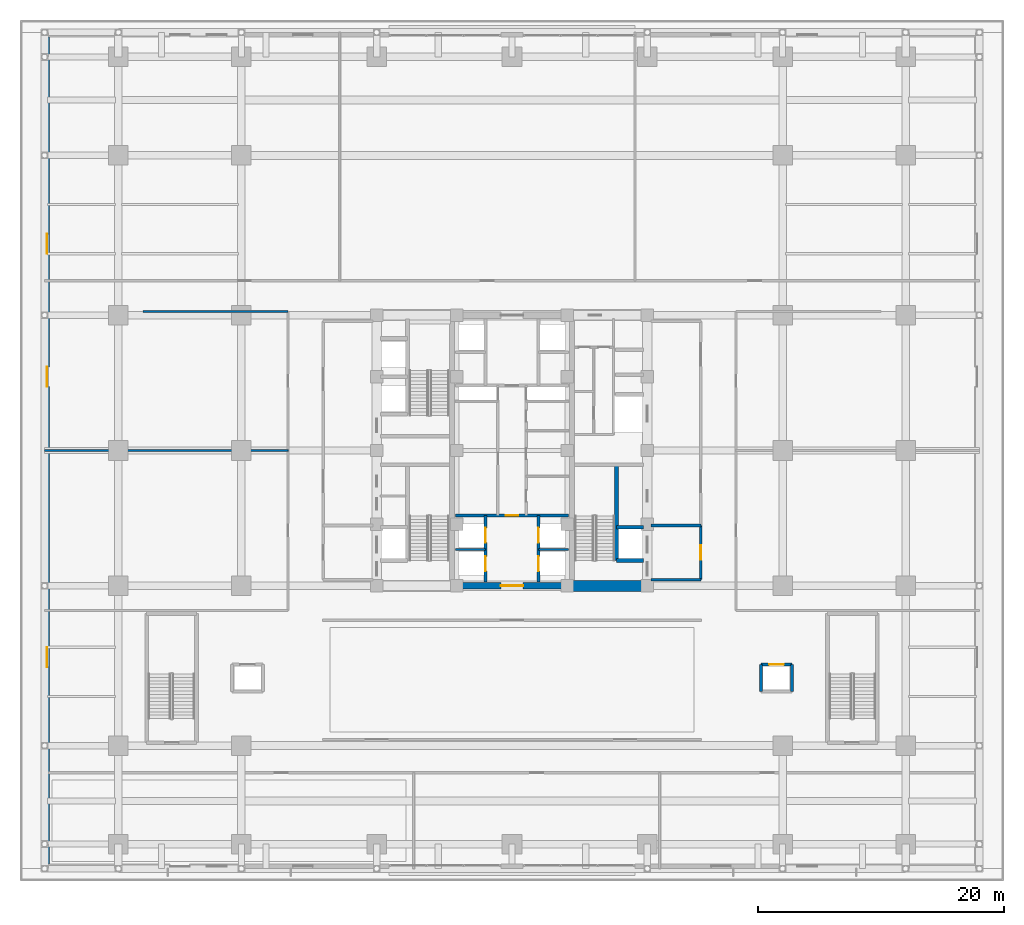
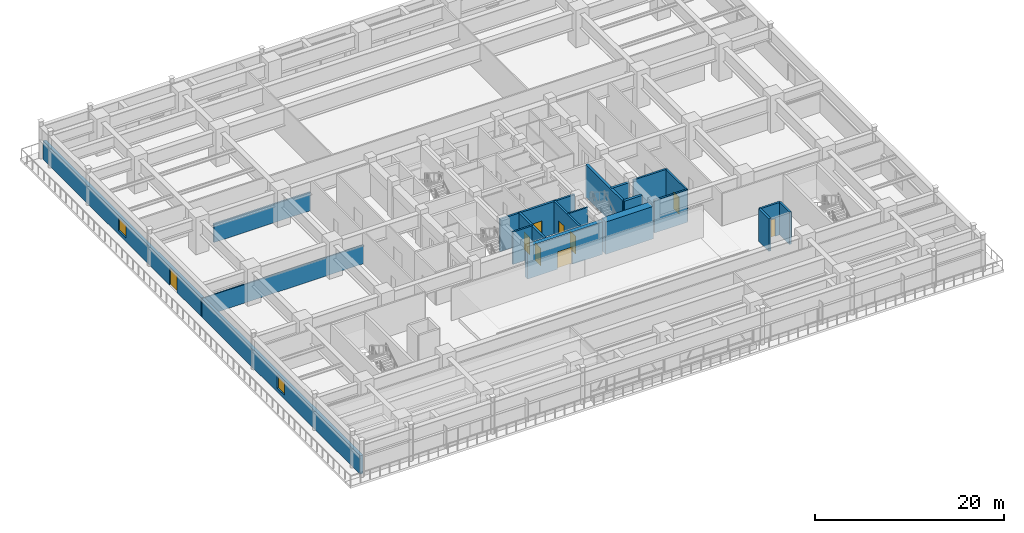
# One storey, part 23 of 35: 19 walls, 9 doors, 2 windows, 11 openings.
"""IFC4 building model written with IfcOpenShell, lengths in metres."""

from ifc_helpers import new_model, si_unit, direction, frame, frame_2d, origin, place, context, subcontext, project, spatial, rectangle, extrude, source, transform, mapped, material, layer, layer_set, type_object, element, fill, save


model = new_model("IFC4")

# Units and contexts
model_context = context("Model", 3, precision=1e-05, world=origin(), true_north=direction((0.0, 1.0)))
body_context = subcontext(model_context, "Body", "Model", "MODEL_VIEW")
ifc_project = project(units=[si_unit("LENGTHUNIT", "METRE"), si_unit("AREAUNIT", "SQUARE_METRE"), si_unit("VOLUMEUNIT", "CUBIC_METRE"), si_unit("PLANEANGLEUNIT", "RADIAN"), si_unit("MASSUNIT", "GRAM", prefix="KILO")], contexts=[model_context])

# Site, building, storey
site_placement = place(None, origin())
site = spatial("IfcSite", under=ifc_project, at=site_placement, CompositionType="ELEMENT")
building_placement = place(site_placement, origin())
building = spatial("IfcBuilding", under=site, at=building_placement, Name="Khorayat Bourse Tower", CompositionType="ELEMENT")
storey_placement = place(building_placement, frame((0.0, 0.0, 22.199951171875)))
storey = spatial("IfcBuildingStorey", under=building, at=storey_placement, Name="L04", CompositionType="ELEMENT", Elevation=22.199951171875)

# Wall
ifc_material_1 = material(Name="Concrete C72/90", Category="concrete")
ifc_layer_1 = layer(ifc_material_1, 0.89990234375)
ifc_layer_set_1 = layer_set([ifc_layer_1], Name="Concrete C72/90")
wall_type_1 = type_object("IfcWallType", Name="WAL-CORE-900", PredefinedType="SHEAR", material=ifc_layer_set_1)
shared_shape_1 = source(origin(), body_context, "Body", "SweptSolid", [
    extrude(rectangle(XDim=5.849853515625, YDim=0.89990234375, at=frame_2d((2.9248046875, 0.0))), origin(), (0.0, 0.0, 1.0), 4.199951171875),
])
wall_1_placement = place(storey_placement, frame((4.85009765625, -11.0, 0.0), z_axis=(0.0, 0.0, 1.0), x_axis=(1.0, 0.0, 0.0)))
element("IfcWall", 1, at=wall_1_placement, inside=storey, type_object=wall_type_1, Name="L04 Core Shear Wall PIER-ES", PredefinedType="SHEAR", context=body_context, shape_type="MappedRepresentation", body=[
    mapped(shared_shape_1, transform((0.0, 0.0, 0.0), scale=1.0)),
])

# Wall, opening, door
ifc_material_2 = material(Name="Concrete C52/65", Category="concrete")
ifc_layer_2 = layer(ifc_material_2, 0.5)
ifc_layer_set_2 = layer_set([ifc_layer_2], Name="Concrete C52/65")
wall_type_2 = type_object("IfcWallType", Name="WAL-CORE-500", PredefinedType="SHEAR", material=ifc_layer_set_2)
shared_shape_2 = source(origin(), body_context, "Body", "SweptSolid", [
    extrude(rectangle(XDim=9.2001953125, YDim=0.5, at=frame_2d((4.60009765625, 0.0))), origin(), (0.0, 0.0, 1.0), 4.199951171875),
])
wall_2_placement = place(storey_placement, frame((-4.60009765625, -11.0, 0.0), z_axis=(0.0, 0.0, 1.0), x_axis=(1.0, 0.0, 0.0)))
wall_2 = element("IfcWall", 2, at=wall_2_placement, inside=storey, type_object=wall_type_2, Name="L04 Core Shear Wall CORE-S", PredefinedType="SHEAR", context=body_context, shape_type="MappedRepresentation", body=[
    mapped(shared_shape_2, transform((0.0, 0.0, 0.0), scale=1.0)),
])
shared_shape_3 = source(origin(), body_context, "Body", "SweptSolid", [
    extrude(rectangle(XDim=1.800048828125, YDim=2.25, at=frame_2d((0.89990234375, 1.125))), frame((0.0, 0.260009765625, 0.0), z_axis=(0.0, -1.0, 0.0), x_axis=(1.0, 0.0, 0.0)), (0.0, 0.0, 1.0), 0.52001953125),
])
opening_1_placement = place(wall_2_placement, frame((3.699951171875, 0.0, 0.0)))
opening_1 = element("IfcOpeningElement", 3, at=opening_1_placement, cuts=wall_2, Name="Opening DI-03", PredefinedType="OPENING", context=body_context, shape_type="MappedRepresentation", body=[
    mapped(shared_shape_3, transform((0.0, 0.0, 0.0), scale=1.0)),
])
ifc_material_3 = material(Name="Fire-rated hardwood vision-panel double leaf", Category="wood")
door_type_1 = type_object("IfcDoorType", Name="DR-INT-CORR-1800", OperationType="NOTDEFINED", PredefinedType="DOOR", material=ifc_material_3)
shared_shape_4 = source(origin(), body_context, "Body", "SweptSolid", [
    extrude(rectangle(XDim=1.800048828125, YDim=2.25, at=frame_2d((0.89990234375, 1.125))), frame((0.0, 0.02490234375, 0.0), z_axis=(0.0, -1.0, 0.0), x_axis=(1.0, 0.0, 0.0)), (0.0, 0.0, 1.0), 0.050048828125),
])
door_1_placement = place(opening_1_placement, origin())
door_1 = element("IfcDoor", 4, at=door_1_placement, inside=storey, type_object=door_type_1, Name="L04 Low-Rise Lift Lobby Door", OperationType="SINGLE_SWING_LEFT", OverallHeight=2.25, OverallWidth=1.800048828125, PredefinedType="DOOR", context=body_context, shape_type="MappedRepresentation", body=[
    mapped(shared_shape_4, transform((0.0, 0.0, 0.0), scale=1.0)),
])
fill(opening_1, door_1)

# Wall, openings, door, windows
ifc_material_4 = material(Name="Precast concrete C45/55", Category="concrete")
ifc_layer_3 = layer(ifc_material_4, 0.3798828125)
ifc_layer_set_3 = layer_set([ifc_layer_3], Name="Precast concrete C45/55")
wall_type_3 = type_object("IfcWallType", Name="WAL-EXT-STONE-380", PredefinedType="STANDARD", material=ifc_layer_set_3)
shared_shape_5 = source(origin(), body_context, "Body", "SweptSolid", [
    extrude(rectangle(XDim=67.240234375, YDim=0.3798828125, at=frame_2d((33.6201171875, 0.0))), origin(), (0.0, 0.0, 1.0), 2.400146484375),
])
wall_3_placement = place(storey_placement, frame((-37.81005859375, -33.6201171875, 0.0), z_axis=(0.0, 0.0, 1.0), x_axis=(0.0, 1.0, 0.0)))
wall_3 = element("IfcWall", 5, at=wall_3_placement, inside=storey, type_object=wall_type_3, Name="L04 Exterior Limestone Wall WAL-L04-EXT-WF", PredefinedType="STANDARD", context=body_context, shape_type="MappedRepresentation", body=[
    mapped(shared_shape_5, transform((0.0, 0.0, 0.0), scale=1.0)),
])
shared_shape_6 = source(origin(), body_context, "Body", "SweptSolid", [
    extrude(rectangle(XDim=1.60009765625, YDim=2.25, at=frame_2d((0.800048828125, 1.125))), frame((0.0, 0.199951171875, 0.0), z_axis=(0.0, -1.0, 0.0), x_axis=(1.0, 0.0, 0.0)), (0.0, 0.0, 1.0), 0.39990234375),
])
opening_2_placement = place(wall_3_placement, frame((38.820068359375, 0.0, 0.0)))
opening_2 = element("IfcOpeningElement", 6, at=opening_2_placement, cuts=wall_3, Name="Opening DE-04", PredefinedType="OPENING", context=body_context, shape_type="MappedRepresentation", body=[
    mapped(shared_shape_6, transform((0.0, 0.0, 0.0), scale=1.0)),
])
shared_shape_7 = source(origin(), body_context, "Body", "SweptSolid", [
    extrude(rectangle(XDim=1.60009765625, YDim=1.679931640625, at=frame_2d((0.800048828125, 0.83984375))), frame((0.0, 0.199951171875, 0.0), z_axis=(0.0, -1.0, 0.0), x_axis=(1.0, 0.0, 0.0)), (0.0, 0.0, 1.0), 0.39990234375),
])
opening_3_placement = place(wall_3_placement, frame((16.010009765625, 0.0, 0.5)))
opening_3 = element("IfcOpeningElement", 7, at=opening_3_placement, cuts=wall_3, Name="Opening WN-02", PredefinedType="OPENING", context=body_context, shape_type="MappedRepresentation", body=[
    mapped(shared_shape_7, transform((0.0, 0.0, 0.0), scale=1.0)),
])
opening_4_placement = place(wall_3_placement, frame((49.6298828125, 0.0, 0.5)))
opening_4 = element("IfcOpeningElement", 8, at=opening_4_placement, cuts=wall_3, Name="Opening WN-02", PredefinedType="OPENING", context=body_context, shape_type="MappedRepresentation", body=[
    mapped(shared_shape_7, transform((0.0, 0.0, 0.0), scale=1.0)),
])
ifc_material_5 = material(Name="Thermally broken aluminium terrace double door", Category="aluminium")
door_type_2 = type_object("IfcDoorType", Name="DR-EXT-TERR-1600", OperationType="NOTDEFINED", PredefinedType="DOOR", material=ifc_material_5)
shared_shape_8 = source(origin(), body_context, "Body", "SweptSolid", [
    extrude(rectangle(XDim=1.60009765625, YDim=2.25, at=frame_2d((0.800048828125, 1.125))), frame((0.0, 0.02490234375, 0.0), z_axis=(0.0, -1.0, 0.0), x_axis=(1.0, 0.0, 0.0)), (0.0, 0.0, 1.0), 0.050048828125),
])
door_2_placement = place(opening_2_placement, origin())
door_2 = element("IfcDoor", 9, at=door_2_placement, inside=storey, type_object=door_type_2, Name="L04 West Garden Terrace Door", OperationType="DOUBLE_DOOR_SINGLE_SWING", OverallHeight=2.25, OverallWidth=1.60009765625, PredefinedType="DOOR", context=body_context, shape_type="MappedRepresentation", body=[
    mapped(shared_shape_8, transform((0.0, 0.0, 0.0), scale=1.0)),
])
fill(opening_2, door_2)
ifc_material_6 = material(Name="Low-E solar-control laminated double glazing", Category="glass")
window_type = type_object("IfcWindowType", Name="WIN-POD-1600x2200", PartitioningType="SINGLE_PANEL", PredefinedType="WINDOW", material=ifc_material_6)
shared_shape_9 = source(origin(), body_context, "Body", "SweptSolid", [
    extrude(rectangle(XDim=1.60009765625, YDim=1.679931640625, at=frame_2d((0.800048828125, 0.83984375))), frame((0.0, 0.030029296875, 0.0), z_axis=(0.0, -1.0, 0.0), x_axis=(1.0, 0.0, 0.0)), (0.0, 0.0, 1.0), 0.06005859375),
])
window_1_placement = place(opening_3_placement, origin())
window_1 = element("IfcWindow", 10, at=window_1_placement, inside=storey, type_object=window_type, Name="L04 Facade Window 1", OverallHeight=1.679931640625, OverallWidth=1.60009765625, PartitioningType="SINGLE_PANEL", PredefinedType="WINDOW", context=body_context, shape_type="MappedRepresentation", body=[
    mapped(shared_shape_9, transform((0.0, 0.0, 0.0), scale=1.0)),
])
fill(opening_3, window_1)
window_2_placement = place(opening_4_placement, origin())
window_2 = element("IfcWindow", 11, at=window_2_placement, inside=storey, type_object=window_type, Name="L04 Facade Window 3", OverallHeight=1.679931640625, OverallWidth=1.60009765625, PartitioningType="SINGLE_PANEL", PredefinedType="WINDOW", context=body_context, shape_type="MappedRepresentation", body=[
    mapped(shared_shape_9, transform((0.0, 0.0, 0.0), scale=1.0)),
])
fill(opening_4, window_2)

# Walls
ifc_material_7 = material(Name="Concrete C50/60", Category="concrete")
ifc_layer_4 = layer(ifc_material_7, 0.300048828125)
ifc_layer_set_4 = layer_set([ifc_layer_4], Name="Concrete C50/60")
wall_type_4 = type_object("IfcWallType", Name="WAL-SHAFT-300", PredefinedType="SHEAR", material=ifc_layer_set_4)
shared_shape_10 = source(origin(), body_context, "Body", "SweptSolid", [
    extrude(rectangle(XDim=7.800048828125, YDim=0.300048828125, at=frame_2d((3.89990234375, 0.0))), origin(), (0.0, 0.0, 1.0), 4.199951171875),
])
wall_4_placement = place(storey_placement, frame((8.5, -8.949951171875, 0.0), z_axis=(0.0, 0.0, 1.0), x_axis=(0.0, 1.0, 0.0)))
element("IfcWall", 12, at=wall_4_placement, inside=storey, type_object=wall_type_4, Name="L04 Partition WAL-L04-EPIER-SP", PredefinedType="SHEAR", context=body_context, shape_type="MappedRepresentation", body=[
    mapped(shared_shape_10, transform((0.0, 0.0, 0.0), scale=1.0)),
])
shared_shape_11 = source(origin(), body_context, "Body", "SweptSolid", [
    extrude(rectangle(XDim=2.199951171875, YDim=0.300048828125, at=frame_2d((1.10009765625, 0.0))), origin(), (0.0, 0.0, 1.0), 4.199951171875),
])
for number, where, z_axis, x_axis, name in (
    (13, (8.5, -8.949951171875, 0.0), (0.0, 0.0, 1.0), (1.0, 0.0, 0.0), "L04 Partition WAL-L04-EPIER-FF2S"),
    (14, (8.5, -6.25, 0.0), (0.0, 0.0, 1.0), (1.0, 0.0, 0.0), "L04 Partition WAL-L04-EPIER-FF2N"),
):
    element("IfcWall", number, at=place(storey_placement, frame(where, z_axis=z_axis, x_axis=x_axis)), inside=storey, type_object=wall_type_4, Name=name, PredefinedType="SHEAR", context=body_context, shape_type="MappedRepresentation", body=[
        mapped(shared_shape_11, transform((0.0, 0.0, 0.0), scale=1.0)),
    ])
ifc_material_8 = material(Name="Aerated concrete blockwork", Category="masonry")
ifc_layer_5 = layer(ifc_material_8, 0.219970703125)
ifc_layer_set_5 = layer_set([ifc_layer_5], Name="Aerated concrete blockwork")
wall_type_5 = type_object("IfcWallType", Name="WAL-PART-FF-220", PredefinedType="PARTITIONING", material=ifc_layer_set_5)
shared_shape_12 = source(origin(), body_context, "Body", "SweptSolid", [
    extrude(rectangle(XDim=4.050048828125, YDim=0.219970703125, at=frame_2d((2.02490234375, 0.0))), origin(), (0.0, 0.0, 1.0), 4.199951171875),
])
for number, where, z_axis, x_axis, name in (
    (15, (11.300048828125, -10.5, 0.0), (0.0, 0.0, 1.0), (1.0, 0.0, 0.0), "L04 Partition WAL-L04-FFLE-S"),
    (16, (11.300048828125, -6.10009765625, 0.0), (0.0, 0.0, 1.0), (1.0, 0.0, 0.0), "L04 Partition WAL-L04-FFLE-N"),
):
    element("IfcWall", number, at=place(storey_placement, frame(where, z_axis=z_axis, x_axis=x_axis)), inside=storey, type_object=wall_type_5, Name=name, PredefinedType="PARTITIONING", context=body_context, shape_type="MappedRepresentation", body=[
        mapped(shared_shape_12, transform((0.0, 0.0, 0.0), scale=1.0)),
    ])

# Wall, opening, door
shared_shape_13 = source(origin(), body_context, "Body", "SweptSolid", [
    extrude(rectangle(XDim=4.39990234375, YDim=0.219970703125, at=frame_2d((2.199951171875, 0.0))), origin(), (0.0, 0.0, 1.0), 4.199951171875),
])
wall_5_placement = place(storey_placement, frame((15.35009765625, -10.5, 0.0), z_axis=(0.0, 0.0, 1.0), x_axis=(0.0, 1.0, 0.0)))
wall_5 = element("IfcWall", 17, at=wall_5_placement, inside=storey, type_object=wall_type_5, Name="L04 Partition WAL-L04-FFLE-E", PredefinedType="PARTITIONING", context=body_context, shape_type="MappedRepresentation", body=[
    mapped(shared_shape_13, transform((0.0, 0.0, 0.0), scale=1.0)),
])
shared_shape_14 = source(origin(), body_context, "Body", "SweptSolid", [
    extrude(rectangle(XDim=1.199951171875, YDim=2.199951171875, at=frame_2d((0.60009765625, 1.10009765625))), frame((0.0, 0.119873046875, 0.0), z_axis=(0.0, -1.0, 0.0), x_axis=(1.0, 0.0, 0.0)), (0.0, 0.0, 1.0), 0.239990234375),
])
opening_5_placement = place(wall_5_placement, frame((1.60009765625, 0.0, 0.0)))
opening_5 = element("IfcOpeningElement", 18, at=opening_5_placement, cuts=wall_5, Name="Opening DI-02", PredefinedType="OPENING", context=body_context, shape_type="MappedRepresentation", body=[
    mapped(shared_shape_14, transform((0.0, 0.0, 0.0), scale=1.0)),
])
ifc_material_9 = material(Name="Fire-rated steel double-seal leaf", Category="steel")
door_type_3 = type_object("IfcDoorType", Name="DR-INT-FFLOBBY-1200", OperationType="NOTDEFINED", PredefinedType="DOOR", material=ifc_material_9)
shared_shape_15 = source(origin(), body_context, "Body", "SweptSolid", [
    extrude(rectangle(XDim=1.199951171875, YDim=2.199951171875, at=frame_2d((0.60009765625, 1.10009765625))), frame((0.0, 0.02490234375, 0.0), z_axis=(0.0, -1.0, 0.0), x_axis=(1.0, 0.0, 0.0)), (0.0, 0.0, 1.0), 0.050048828125),
])
door_3_placement = place(opening_5_placement, origin())
door_3 = element("IfcDoor", 19, at=door_3_placement, inside=storey, type_object=door_type_3, Name="L04 East Firefighting Lobby Door", OperationType="SINGLE_SWING_RIGHT", OverallHeight=2.199951171875, OverallWidth=1.199951171875, PredefinedType="DOOR", context=body_context, shape_type="MappedRepresentation", body=[
    mapped(shared_shape_15, transform((0.0, 0.0, 0.0), scale=1.0)),
])
fill(opening_5, door_3)

# Wall, openings, doors
shared_shape_16 = source(origin(), body_context, "Body", "SweptSolid", [
    extrude(rectangle(XDim=5.39990234375, YDim=0.25, at=frame_2d((2.699951171875, 0.0))), origin(), (0.0, 0.0, 1.0), 4.199951171875),
])
wall_6_placement = place(storey_placement, frame((-2.14990234375, -10.699951171875, 0.0), z_axis=(0.0, 0.0, 1.0), x_axis=(0.0, 1.0, 0.0)))
wall_6 = element("IfcWall", 20, at=wall_6_placement, inside=storey, type_object=wall_type_4, Name="L04 Partition WAL-L04-B1-W", PredefinedType="SHEAR", context=body_context, shape_type="MappedRepresentation", body=[
    mapped(shared_shape_16, transform((0.0, 0.0, 0.0), scale=1.0)),
])
shared_shape_17 = source(origin(), body_context, "Body", "SweptSolid", [
    extrude(rectangle(XDim=1.199951171875, YDim=2.300048828125, at=frame_2d((0.60009765625, 1.14990234375))), frame((0.0, 0.135009765625, 0.0), z_axis=(0.0, -1.0, 0.0), x_axis=(1.0, 0.0, 0.0)), (0.0, 0.0, 1.0), 0.27001953125),
])
opening_6_placement = place(wall_6_placement, frame((0.89990234375, 0.0, 0.0)))
opening_6 = element("IfcOpeningElement", 21, at=opening_6_placement, cuts=wall_6, Name="Opening LD-01", PredefinedType="OPENING", context=body_context, shape_type="MappedRepresentation", body=[
    mapped(shared_shape_17, transform((0.0, 0.0, 0.0), scale=1.0)),
])
opening_7_placement = place(wall_6_placement, frame((3.199951171875, 0.0, 0.0)))
opening_7 = element("IfcOpeningElement", 22, at=opening_7_placement, cuts=wall_6, Name="Opening LD-01", PredefinedType="OPENING", context=body_context, shape_type="MappedRepresentation", body=[
    mapped(shared_shape_17, transform((0.0, 0.0, 0.0), scale=1.0)),
])
ifc_material_10 = material(Name="Brushed bronze stainless-steel sliding door", Category="steel")
door_type_4 = type_object("IfcDoorType", Name="DR-LIFT-PASS-1200", OperationType="NOTDEFINED", PredefinedType="DOOR", material=ifc_material_10)
shared_shape_18 = source(origin(), body_context, "Body", "SweptSolid", [
    extrude(rectangle(XDim=1.199951171875, YDim=2.300048828125, at=frame_2d((0.60009765625, 1.14990234375))), frame((0.0, 0.02490234375, 0.0), z_axis=(0.0, -1.0, 0.0), x_axis=(1.0, 0.0, 0.0)), (0.0, 0.0, 1.0), 0.050048828125),
])
door_4_placement = place(opening_6_placement, origin())
door_4 = element("IfcDoor", 23, at=door_4_placement, inside=storey, type_object=door_type_4, Name="L04 Lift PL-L1 Sliding Landing Door", OperationType="SLIDING_TO_LEFT", OverallHeight=2.300048828125, OverallWidth=1.199951171875, PredefinedType="DOOR", context=body_context, shape_type="MappedRepresentation", body=[
    mapped(shared_shape_18, transform((0.0, 0.0, 0.0), scale=1.0)),
])
fill(opening_6, door_4)
door_5_placement = place(opening_7_placement, origin())
door_5 = element("IfcDoor", 24, at=door_5_placement, inside=storey, type_object=door_type_4, Name="L04 Lift PL-L3 Sliding Landing Door", OperationType="SLIDING_TO_LEFT", OverallHeight=2.300048828125, OverallWidth=1.199951171875, PredefinedType="DOOR", context=body_context, shape_type="MappedRepresentation", body=[
    mapped(shared_shape_18, transform((0.0, 0.0, 0.0), scale=1.0)),
])
fill(opening_7, door_5)

wall_7_placement = place(storey_placement, frame((2.14990234375, -10.699951171875, 0.0), z_axis=(0.0, 0.0, 1.0), x_axis=(0.0, 1.0, 0.0)))
wall_7 = element("IfcWall", 25, at=wall_7_placement, inside=storey, type_object=wall_type_4, Name="L04 Partition WAL-L04-B1-E", PredefinedType="SHEAR", context=body_context, shape_type="MappedRepresentation", body=[
    mapped(shared_shape_16, transform((0.0, 0.0, 0.0), scale=1.0)),
])
opening_8_placement = place(wall_7_placement, frame((0.89990234375, 0.0, 0.0)))
opening_8 = element("IfcOpeningElement", 26, at=opening_8_placement, cuts=wall_7, Name="Opening LD-01", PredefinedType="OPENING", context=body_context, shape_type="MappedRepresentation", body=[
    mapped(shared_shape_17, transform((0.0, 0.0, 0.0), scale=1.0)),
])
opening_9_placement = place(wall_7_placement, frame((3.199951171875, 0.0, 0.0)))
opening_9 = element("IfcOpeningElement", 27, at=opening_9_placement, cuts=wall_7, Name="Opening LD-01", PredefinedType="OPENING", context=body_context, shape_type="MappedRepresentation", body=[
    mapped(shared_shape_17, transform((0.0, 0.0, 0.0), scale=1.0)),
])
door_6_placement = place(opening_8_placement, origin())
door_6 = element("IfcDoor", 28, at=door_6_placement, inside=storey, type_object=door_type_4, Name="L04 Lift PL-L2 Sliding Landing Door", OperationType="SLIDING_TO_LEFT", OverallHeight=2.300048828125, OverallWidth=1.199951171875, PredefinedType="DOOR", context=body_context, shape_type="MappedRepresentation", body=[
    mapped(shared_shape_18, transform((0.0, 0.0, 0.0), scale=1.0)),
])
fill(opening_8, door_6)
door_7_placement = place(opening_9_placement, origin())
door_7 = element("IfcDoor", 29, at=door_7_placement, inside=storey, type_object=door_type_4, Name="L04 Lift PL-L4 Sliding Landing Door", OperationType="SLIDING_TO_LEFT", OverallHeight=2.300048828125, OverallWidth=1.199951171875, PredefinedType="DOOR", context=body_context, shape_type="MappedRepresentation", body=[
    mapped(shared_shape_18, transform((0.0, 0.0, 0.0), scale=1.0)),
])
fill(opening_9, door_7)

# Walls
shared_shape_19 = source(origin(), body_context, "Body", "SweptSolid", [
    extrude(rectangle(XDim=2.4501953125, YDim=0.199951171875, at=frame_2d((1.22509765625, 0.0))), origin(), (0.0, 0.0, 1.0), 4.199951171875),
])
for number, where, z_axis, x_axis, name in (
    (30, (-4.60009765625, -8.050048828125, 0.0), (0.0, 0.0, 1.0), (1.0, 0.0, 0.0), "L04 Partition WAL-L04-B1-MW"),
    (31, (2.14990234375, -8.050048828125, 0.0), (0.0, 0.0, 1.0), (1.0, 0.0, 0.0), "L04 Partition WAL-L04-B1-ME"),
):
    element("IfcWall", number, at=place(storey_placement, frame(where, z_axis=z_axis, x_axis=x_axis)), inside=storey, type_object=wall_type_4, Name=name, PredefinedType="SHEAR", context=body_context, shape_type="MappedRepresentation", body=[
        mapped(shared_shape_19, transform((0.0, 0.0, 0.0), scale=1.0)),
    ])

# Wall, opening, door
shared_shape_20 = source(origin(), body_context, "Body", "SweptSolid", [
    extrude(rectangle(XDim=9.2001953125, YDim=0.25, at=frame_2d((4.60009765625, 0.0))), origin(), (0.0, 0.0, 1.0), 4.199951171875),
])
wall_8_placement = place(storey_placement, frame((-4.60009765625, -5.300048828125, 0.0), z_axis=(0.0, 0.0, 1.0), x_axis=(1.0, 0.0, 0.0)))
wall_8 = element("IfcWall", 32, at=wall_8_placement, inside=storey, type_object=wall_type_4, Name="L04 Partition WAL-L04-B1-N", PredefinedType="SHEAR", context=body_context, shape_type="MappedRepresentation", body=[
    mapped(shared_shape_20, transform((0.0, 0.0, 0.0), scale=1.0)),
])
shared_shape_21 = source(origin(), body_context, "Body", "SweptSolid", [
    extrude(rectangle(XDim=1.050048828125, YDim=2.199951171875, at=frame_2d((0.52490234375, 1.10009765625))), frame((0.0, 0.135009765625, 0.0), z_axis=(0.0, -1.0, 0.0), x_axis=(1.0, 0.0, 0.0)), (0.0, 0.0, 1.0), 0.27001953125),
])
opening_10_placement = place(wall_8_placement, frame((4.074951171875, 0.0, 0.0)))
opening_10 = element("IfcOpeningElement", 33, at=opening_10_placement, cuts=wall_8, Name="Opening DI-04", PredefinedType="OPENING", context=body_context, shape_type="MappedRepresentation", body=[
    mapped(shared_shape_21, transform((0.0, 0.0, 0.0), scale=1.0)),
])
ifc_material_11 = material(Name="Fire-rated oak veneer suite entrance door")
door_type_5 = type_object("IfcDoorType", Name="DR-INT-SUITE-1050", OperationType="NOTDEFINED", PredefinedType="DOOR", material=ifc_material_11)
shared_shape_22 = source(origin(), body_context, "Body", "SweptSolid", [
    extrude(rectangle(XDim=1.050048828125, YDim=2.199951171875, at=frame_2d((0.52490234375, 1.10009765625))), frame((0.0, 0.02490234375, 0.0), z_axis=(0.0, -1.0, 0.0), x_axis=(1.0, 0.0, 0.0)), (0.0, 0.0, 1.0), 0.050048828125),
])
door_8_placement = place(opening_10_placement, origin())
door_8 = element("IfcDoor", 34, at=door_8_placement, inside=storey, type_object=door_type_5, Name="L04 Core Spine South Door", OperationType="SINGLE_SWING_LEFT", OverallHeight=2.199951171875, OverallWidth=1.050048828125, PredefinedType="DOOR", context=body_context, shape_type="MappedRepresentation", body=[
    mapped(shared_shape_22, transform((0.0, 0.0, 0.0), scale=1.0)),
])
fill(opening_10, door_8)

shared_shape_23 = source(origin(), body_context, "Body", "SweptSolid", [
    extrude(rectangle(XDim=2.5, YDim=0.25, at=frame_2d((1.25, 0.0))), origin(), (0.0, 0.0, 1.0), 4.199951171875),
])
wall_9_placement = place(storey_placement, frame((20.25, -17.39990234375, 0.0), z_axis=(0.0, 0.0, 1.0), x_axis=(1.0, 0.0, 0.0)))
wall_9 = element("IfcWall", 35, at=wall_9_placement, inside=storey, type_object=wall_type_4, Name="L04 Partition WAL-L04-PLP2-N", PredefinedType="SHEAR", context=body_context, shape_type="MappedRepresentation", body=[
    mapped(shared_shape_23, transform((0.0, 0.0, 0.0), scale=1.0)),
])
opening_11_placement = place(wall_9_placement, frame((0.64990234375, 0.0, 0.0)))
opening_11 = element("IfcOpeningElement", 36, at=opening_11_placement, cuts=wall_9, Name="Opening LD-01", PredefinedType="OPENING", context=body_context, shape_type="MappedRepresentation", body=[
    mapped(shared_shape_17, transform((0.0, 0.0, 0.0), scale=1.0)),
])
door_9_placement = place(opening_11_placement, origin())
door_9 = element("IfcDoor", 37, at=door_9_placement, inside=storey, type_object=door_type_4, Name="L04 Lift PL-P2 Sliding Landing Door", OperationType="SLIDING_TO_LEFT", OverallHeight=2.300048828125, OverallWidth=1.199951171875, PredefinedType="DOOR", context=body_context, shape_type="MappedRepresentation", body=[
    mapped(shared_shape_18, transform((0.0, 0.0, 0.0), scale=1.0)),
])
fill(opening_11, door_9)

# Walls
shared_shape_24 = source(origin(), body_context, "Body", "SweptSolid", [
    extrude(rectangle(XDim=2.2001953125, YDim=0.25, at=frame_2d((1.10009765625, 0.0))), origin(), (0.0, 0.0, 1.0), 4.199951171875),
])
for number, where, z_axis, x_axis, name in (
    (38, (20.25, -19.60009765625, 0.0), (0.0, 0.0, 1.0), (0.0, 1.0, 0.0), "L04 Partition WAL-L04-PLP2-W"),
    (39, (22.75, -19.60009765625, 0.0), (0.0, 0.0, 1.0), (0.0, 1.0, 0.0), "L04 Partition WAL-L04-PLP2-E"),
):
    element("IfcWall", number, at=place(storey_placement, frame(where, z_axis=z_axis, x_axis=x_axis)), inside=storey, type_object=wall_type_4, Name=name, PredefinedType="SHEAR", context=body_context, shape_type="MappedRepresentation", body=[
        mapped(shared_shape_24, transform((0.0, 0.0, 0.0), scale=1.0)),
    ])
ifc_material_12 = material(Name="Gypsum plasterboard acoustic stud wall")
ifc_layer_6 = layer(ifc_material_12, 0.179931640625)
ifc_layer_set_6 = layer_set([ifc_layer_6], Name="Gypsum plasterboard acoustic stud wall")
wall_type_6 = type_object("IfcWallType", Name="WAL-PART-CORR-180", PredefinedType="PARTITIONING", material=ifc_layer_set_6)
shared_shape_25 = source(origin(), body_context, "Body", "SweptSolid", [
    extrude(rectangle(XDim=11.800048828125, YDim=0.179931640625, at=frame_2d((5.89990234375, 0.0))), origin(), (0.0, 0.0, 1.0), 2.400146484375),
])
wall_10_placement = place(storey_placement, frame((-30.0, 11.300048828125, 0.0), z_axis=(0.0, 0.0, 1.0), x_axis=(1.0, 0.0, 0.0)))
element("IfcWall", 40, at=wall_10_placement, inside=storey, type_object=wall_type_6, Name="L04 Partition WAL-L04-PCORRN-SW", PredefinedType="PARTITIONING", context=body_context, shape_type="MappedRepresentation", body=[
    mapped(shared_shape_25, transform((0.0, 0.0, 0.0), scale=1.0)),
])
ifc_material_13 = material(Name="Gypsum plasterboard twin-frame partition")
ifc_layer_7 = layer(ifc_material_13, 0.14990234375)
ifc_layer_set_7 = layer_set([ifc_layer_7], Name="Gypsum plasterboard twin-frame partition")
wall_type_7 = type_object("IfcWallType", Name="WAL-PART-SUITE-150", PredefinedType="PARTITIONING", material=ifc_layer_set_7)
shared_shape_26 = source(origin(), body_context, "Body", "SweptSolid", [
    extrude(rectangle(XDim=19.800048828125, YDim=0.14990234375, at=frame_2d((9.89990234375, 0.0))), origin(), (0.0, 0.0, 1.0), 2.400146484375),
])
wall_11_placement = place(storey_placement, frame((-38.0, 0.0, 0.0), z_axis=(0.0, 0.0, 1.0), x_axis=(1.0, 0.0, 0.0)))
element("IfcWall", 41, at=wall_11_placement, inside=storey, type_object=wall_type_7, Name="L04 Partition WAL-L04-PW-DIV-1", PredefinedType="PARTITIONING", context=body_context, shape_type="MappedRepresentation", body=[
    mapped(shared_shape_26, transform((0.0, 0.0, 0.0), scale=1.0)),
])

save(model, "model.ifc")
